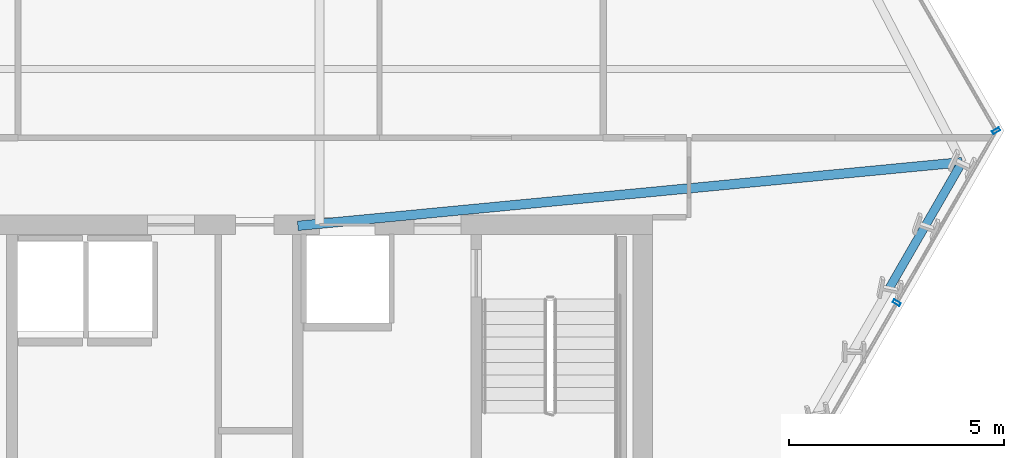
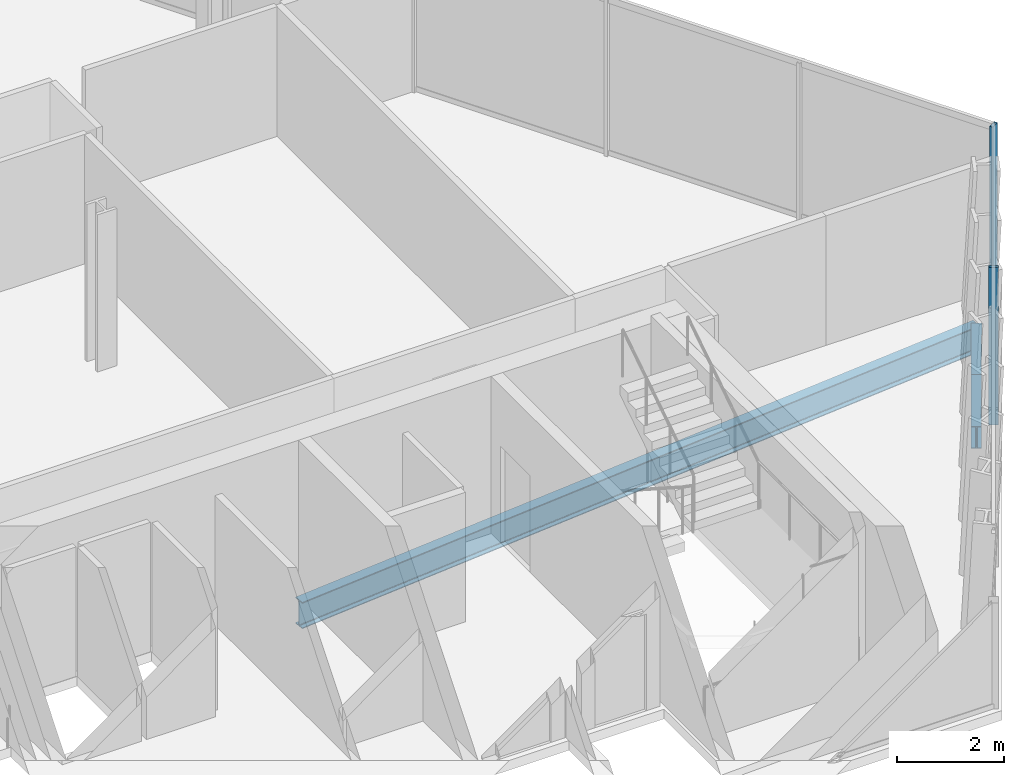
# One storey, part 18 of 32: 3 beams, 2 members, 2 elements without a shape of their own.
"""IFC4 building model written with IfcOpenShell, lengths in metres."""

from ifc_helpers import new_model, si_unit, direction, frame, origin, origin_2d, place, context, subcontext, project, spatial, hollow_rectangle, i_section, extrude, material, layer, layer_set, material_profile, profile_set, type_object, element, aggregate, save


model = new_model("IFC4")

# Units and contexts
model_context = context("Model", 3, precision=1e-05, world=origin(), true_north=direction((0.0, 1.0)))
body_context = subcontext(model_context, "Body", "Model", "MODEL_VIEW")
ifc_project = project(units=[si_unit("LENGTHUNIT", "METRE"), si_unit("AREAUNIT", "SQUARE_METRE"), si_unit("VOLUMEUNIT", "CUBIC_METRE"), si_unit("PLANEANGLEUNIT", "RADIAN"), si_unit("MASSUNIT", "GRAM", prefix="KILO")], contexts=[model_context])

# Site, building, storey
site_placement = place(None, origin())
site = spatial("IfcSite", under=ifc_project, at=site_placement, CompositionType="ELEMENT")
building_placement = place(site_placement, origin())
building = spatial("IfcBuilding", under=site, at=building_placement, Name="Ndaravel Arena Tower", CompositionType="ELEMENT")
storey_placement = place(building_placement, frame((0.0, 0.0, 96.800048828125)))
storey = spatial("IfcBuildingStorey", under=building, at=storey_placement, Name="L22", CompositionType="ELEMENT", Elevation=96.800048828125)

# Beams
ifc_material_1 = material(Name="Steel S355", Category="steel")
ifc_material_profile_1 = material_profile(ifc_material_1, i_section(OverallWidth=0.219970703125, OverallDepth=0.60009765625, WebThickness=0.011962890625, FlangeThickness=0.01904296875, FilletRadius=0.02392578125, at=origin_2d()), Name="IPE 600")
ifc_profile_set_1 = profile_set([ifc_material_profile_1], Name="Steel S355")
beam_type_1 = type_object("IfcBeamType", Name="BM-GIRD-IPE600", PredefinedType="BEAM", material=ifc_profile_set_1)
beam_1_placement = place(storey_placement, frame((64.75, 16.4306640625, -0.52001953125), z_axis=(-0.995438809461, -0.095402183515, 0.0), x_axis=(0.095402183515, -0.995438809461, 0.0)))
element("IfcBeam", 1, at=beam_1_placement, inside=storey, type_object=beam_type_1, Name="L22 Radial Floor Girder FG-09", PredefinedType="BEAM", context=body_context, shape_type="SweptSolid", body=[
    extrude(i_section(OverallWidth=0.219970703125, OverallDepth=0.60009765625, WebThickness=0.011962890625, FlangeThickness=0.01904296875, FilletRadius=0.02392578125, at=origin_2d()), origin(), (0.0, 0.0, 1.0), 15.520751953125),
])
ifc_material_2 = material(Name="Steel S355", Category="steel")
ifc_material_profile_2 = material_profile(ifc_material_2, i_section(OverallWidth=0.199951171875, OverallDepth=0.5, WebThickness=0.01025390625, FlangeThickness=0.01611328125, FilletRadius=0.02099609375, at=origin_2d()), Name="IPE 500")
ifc_profile_set_2 = profile_set([ifc_material_profile_2], Name="Steel S355")
beam_type_2 = type_object("IfcBeamType", Name="BM-SPAN-IPE500", PredefinedType="SPANDREL", material=ifc_profile_set_2)
beam_2_placement = place(storey_placement, frame((63.06396484375, 13.510498046875, -0.469970703125), z_axis=(0.499985669323, 0.866033677446, 0.0), x_axis=(-0.866033677446, 0.499985669323, 0.0)))
element("IfcBeam", 2, at=beam_2_placement, inside=storey, type_object=beam_type_2, Name="L22 Perimeter Spandrel Beam SP-07", PredefinedType="SPANDREL", context=body_context, shape_type="SweptSolid", body=[
    extrude(i_section(OverallWidth=0.199951171875, OverallDepth=0.5, WebThickness=0.01025390625, FlangeThickness=0.01611328125, FilletRadius=0.02099609375, at=origin_2d()), origin(), (0.0, 0.0, 1.0), 1.68603515625),
])
beam_3_placement = place(storey_placement, frame((63.906982421875, 14.970703125, -0.469970703125), z_axis=(0.500048373822, 0.865997473344, 0.0), x_axis=(-0.865997473344, 0.500048373822, 0.0)))
element("IfcBeam", 3, at=beam_3_placement, inside=storey, type_object=beam_type_2, Name="L22 Perimeter Spandrel Beam SP-08", PredefinedType="SPANDREL", context=body_context, shape_type="SweptSolid", body=[
    extrude(i_section(OverallWidth=0.199951171875, OverallDepth=0.5, WebThickness=0.01025390625, FlangeThickness=0.01611328125, FilletRadius=0.02099609375, at=origin_2d()), origin(), (0.0, 0.0, 1.0), 1.685791015625),
])

# Curtain wall, member
ifc_material_3 = material(Name="Aluminium", Category="aluminium")
ifc_layer_1 = layer(ifc_material_3, 0.179931640625)
ifc_layer_set_1 = layer_set([ifc_layer_1], Name="Aluminium")
curtain_wall_type_1 = type_object("IfcCurtainWallType", Name="CW-SYS-01", PredefinedType="NOTDEFINED", material=ifc_layer_set_1)
curtain_wall_1_placement = place(storey_placement, origin())
curtain_wall_1 = element("IfcCurtainWall", 4, at=curtain_wall_1_placement, inside=storey, type_object=curtain_wall_type_1, Name="L22 Faceted Crystal Curtain Wall CW-L22-E02", PredefinedType="NOTDEFINED")
ifc_material_4 = material(Name="Aluminium", Category="aluminium")
ifc_material_profile_3 = material_profile(ifc_material_4, hollow_rectangle(XDim=0.074951171875, YDim=0.179931640625, WallThickness=0.00390625, at=origin_2d()), Name="CW MULLION 75x180x4")
ifc_profile_set_3 = profile_set([ifc_material_profile_3], Name="Aluminium")
member_type = type_object("IfcMemberType", Name="MEM-CW-MUL180", PredefinedType="MULLION", material=ifc_profile_set_3)
member_1_placement = place(storey_placement, frame((63.2314453125, 13.160400390625, 0.0), z_axis=(0.0, 0.0, 1.0), x_axis=(0.5, 0.866025403784, 0.0)))
member_1 = element("IfcMember", 5, at=member_1_placement, type_object=member_type, Name="CW-L22-E02 Mullion 02", PredefinedType="MULLION", context=body_context, shape_type="SweptSolid", body=[
    extrude(hollow_rectangle(XDim=0.074951171875, YDim=0.179931640625, WallThickness=0.00390625, at=origin_2d()), origin(), (0.0, 0.0, 1.0), 3.579833984375),
])
aggregate(curtain_wall_1, [member_1])

ifc_material_5 = material(Name="Aluminium", Category="aluminium")
ifc_layer_2 = layer(ifc_material_5, 0.179931640625)
ifc_layer_set_2 = layer_set([ifc_layer_2], Name="Aluminium")
curtain_wall_type_2 = type_object("IfcCurtainWallType", Name="CW-SYS-03", PredefinedType="NOTDEFINED", material=ifc_layer_set_2)
curtain_wall_2_placement = place(storey_placement, origin())
curtain_wall_2 = element("IfcCurtainWall", 6, at=curtain_wall_2_placement, inside=storey, type_object=curtain_wall_type_2, Name="L22 Faceted Crystal Curtain Wall CW-L22-E03", PredefinedType="NOTDEFINED")
member_2_placement = place(storey_placement, frame((65.541015625, 17.16064453125, 0.0), z_axis=(0.0, 0.0, 1.0), x_axis=(-0.5, 0.866025403784, 0.0)))
member_2 = element("IfcMember", 7, at=member_2_placement, type_object=member_type, Name="CW-L22-E03 Mullion 00", PredefinedType="MULLION", context=body_context, shape_type="SweptSolid", body=[
    extrude(hollow_rectangle(XDim=0.074951171875, YDim=0.179931640625, WallThickness=0.00390625, at=origin_2d()), origin(), (0.0, 0.0, 1.0), 3.579833984375),
])
aggregate(curtain_wall_2, [member_2])

save(model, "model.ifc")
